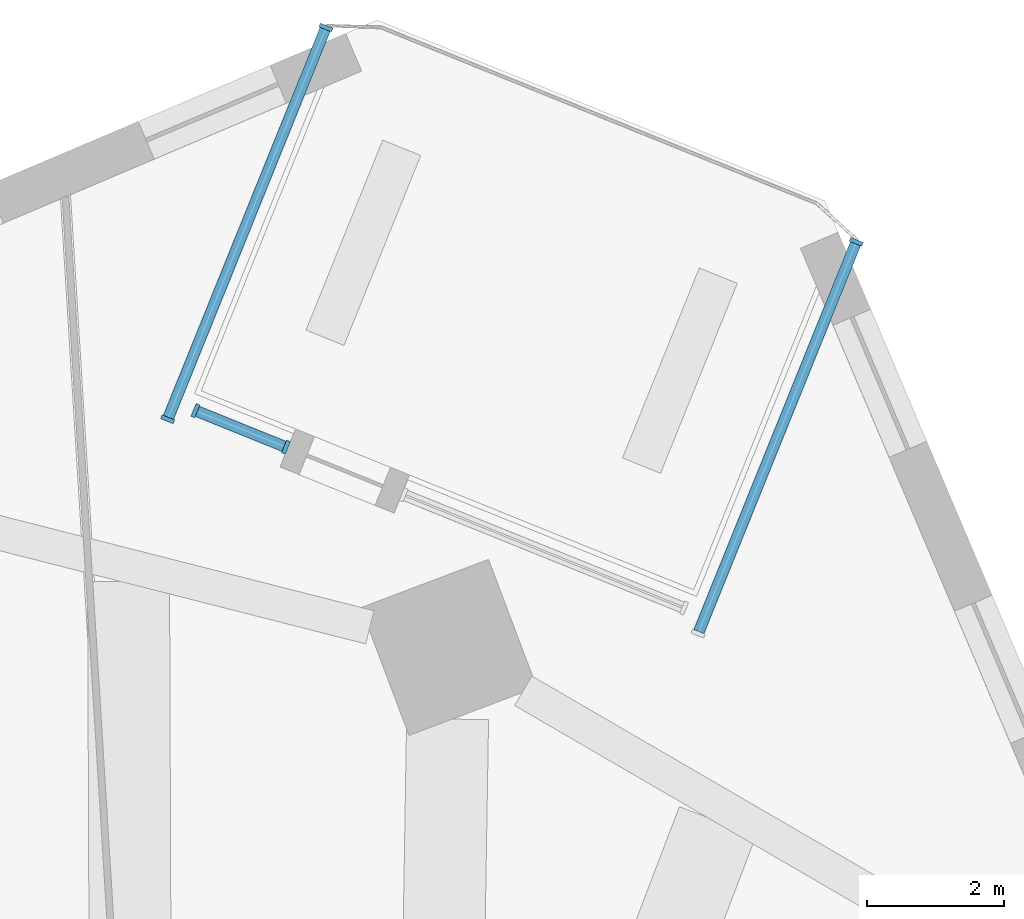
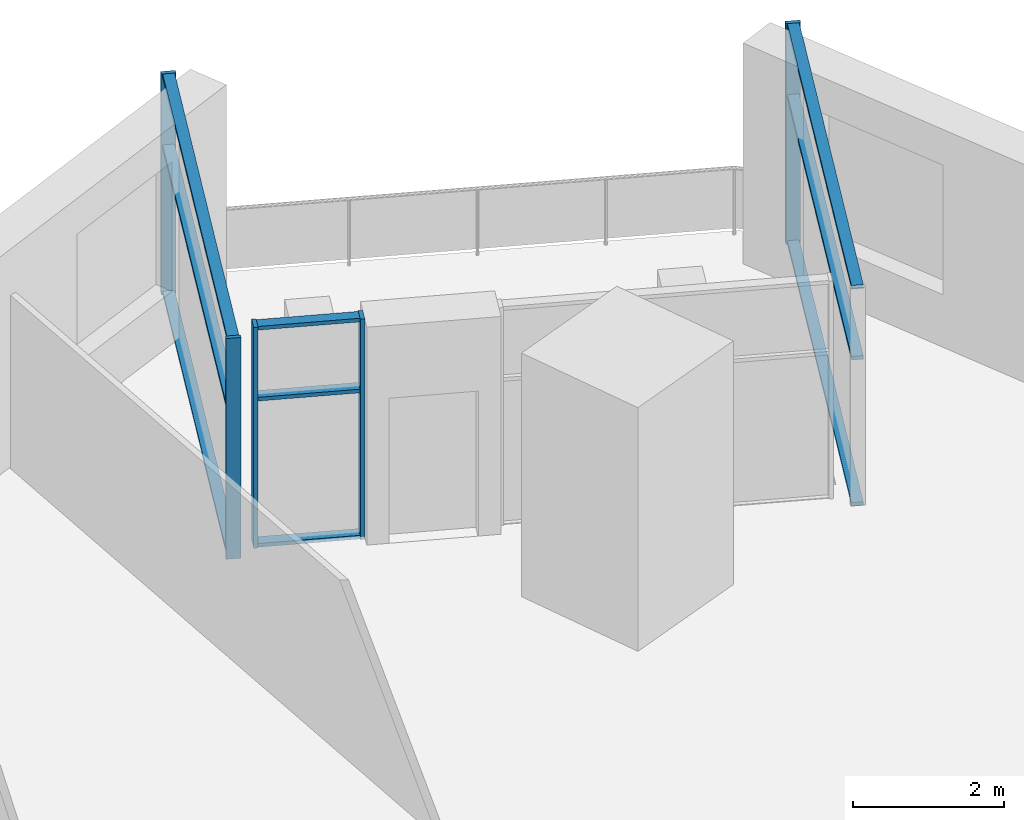
# One storey, part 4 of 12: 14 members, 3 elements without a shape of their own.
"""IFC4 building model written with IfcOpenShell, lengths in metres."""

from ifc_helpers import new_model, si_unit, direction, frame, origin, origin_2d, place, context, subcontext, project, spatial, rectangle, extrude, material, material_profile, profile_set, type_object, element, aggregate, save


model = new_model("IFC4")

# Units and contexts
model_context = context("Model", 3, precision=1e-05, world=origin(), true_north=direction((0.0, 1.0)))
body_context = subcontext(model_context, "Body", "Model", "MODEL_VIEW")
ifc_project = project(units=[si_unit("LENGTHUNIT", "METRE"), si_unit("AREAUNIT", "SQUARE_METRE"), si_unit("VOLUMEUNIT", "CUBIC_METRE"), si_unit("PLANEANGLEUNIT", "RADIAN"), si_unit("MASSUNIT", "GRAM", prefix="KILO")], contexts=[model_context])

# Site, building, storey
site_placement = place(None, origin())
site = spatial("IfcSite", under=ifc_project, at=site_placement, CompositionType="ELEMENT")
building_placement = place(site_placement, origin())
building = spatial("IfcBuilding", under=site, at=building_placement, Name="Dilmun Exchange Tower", CompositionType="ELEMENT")
storey_placement = place(building_placement, frame((0.0, 0.0, 118.10009765625)))
storey = spatial("IfcBuildingStorey", under=building, at=storey_placement, Name="L27", CompositionType="ELEMENT", Elevation=118.10009765625)

# Curtain wall, member
ifc_material_1 = material(Name="Anodised aluminium and clear glass", Category="aluminium")
curtain_wall_type = type_object("IfcCurtainWallType", Name="Garden corner glazing", PredefinedType="NOTDEFINED", material=ifc_material_1)
curtain_wall_1_placement = place(storey_placement, origin())
curtain_wall_1 = element("IfcCurtainWall", 1, at=curtain_wall_1_placement, inside=storey, type_object=curtain_wall_type, Name="Garden corner glazing run GC1.1", PredefinedType="NOTDEFINED")
ifc_material_2 = material(Name="Anodised aluminium", Category="aluminium")
ifc_material_profile_1 = material_profile(ifc_material_2, rectangle(XDim=0.199951171875, YDim=0.06005859375, at=origin_2d()), Name="AL 60x200")
ifc_profile_set_1 = profile_set([ifc_material_profile_1], Name="Anodised aluminium")
member_type_1 = type_object("IfcMemberType", Name="Garden corner glazing mullion 60 x 200", PredefinedType="MULLION", material=ifc_profile_set_1)
member_1_placement = place(storey_placement, frame((19.090576171875, 32.29296875, 0.0), z_axis=(0.0, 0.0, 1.0), x_axis=(0.927181535276, -0.374612333812, 0.0)))
member_1 = element("IfcMember", 2, at=member_1_placement, type_object=member_type_1, Name="GC1.1 mullion 1", PredefinedType="MULLION", context=body_context, shape_type="SweptSolid", body=[
    extrude(rectangle(XDim=0.199951171875, YDim=0.06005859375, at=origin_2d()), origin(), (0.0, 0.0, 1.0), 3.579833984375),
])

# Curtain wall, members
curtain_wall_2_placement = place(storey_placement, origin())
curtain_wall_2 = element("IfcCurtainWall", 3, at=curtain_wall_2_placement, inside=storey, type_object=curtain_wall_type, Name="Garden corner glazing run GC2.3", PredefinedType="NOTDEFINED")
member_2_placement = place(storey_placement, frame((10.7373046875, 29.287109375, 0.0), z_axis=(0.0, 0.0, 1.0), x_axis=(-0.374584072778, -0.927192953177, 0.0)))
member_2 = element("IfcMember", 4, at=member_2_placement, type_object=member_type_1, Name="GC2.3 mullion 1", PredefinedType="MULLION", context=body_context, shape_type="SweptSolid", body=[
    extrude(rectangle(XDim=0.199951171875, YDim=0.06005859375, at=origin_2d()), origin(), (0.0, 0.0, 1.0), 3.579833984375),
])
member_3_placement = place(storey_placement, frame((9.412109375, 29.822265625, 0.0), z_axis=(0.0, 0.0, 1.0), x_axis=(-0.374584072778, -0.927192953177, 0.0)))
member_3 = element("IfcMember", 5, at=member_3_placement, type_object=member_type_1, Name="GC2.3 mullion 2", PredefinedType="MULLION", context=body_context, shape_type="SweptSolid", body=[
    extrude(rectangle(XDim=0.199951171875, YDim=0.06005859375, at=origin_2d()), origin(), (0.0, 0.0, 1.0), 3.579833984375),
])

curtain_wall_3_placement = place(storey_placement, origin())
curtain_wall_3 = element("IfcCurtainWall", 6, at=curtain_wall_3_placement, inside=storey, type_object=curtain_wall_type, Name="Garden corner glazing run GC3.1", PredefinedType="NOTDEFINED")
member_4_placement = place(storey_placement, frame((9.005126953125, 29.695556640625, 0.0), z_axis=(0.0, 0.0, 1.0), x_axis=(-0.927187095693, 0.374598571247, 0.0)))
member_4 = element("IfcMember", 7, at=member_4_placement, type_object=member_type_1, Name="GC3.1 mullion 1", PredefinedType="MULLION", context=body_context, shape_type="SweptSolid", body=[
    extrude(rectangle(XDim=0.199951171875, YDim=0.06005859375, at=origin_2d()), origin(), (0.0, 0.0, 1.0), 3.579833984375),
])
member_5_placement = place(storey_placement, frame((11.322509765625, 35.431640625, 0.0), z_axis=(0.0, 0.0, 1.0), x_axis=(-0.927187095693, 0.374598571247, 0.0)))
member_5 = element("IfcMember", 8, at=member_5_placement, type_object=member_type_1, Name="GC3.1 mullion 2", PredefinedType="MULLION", context=body_context, shape_type="SweptSolid", body=[
    extrude(rectangle(XDim=0.199951171875, YDim=0.06005859375, at=origin_2d()), origin(), (0.0, 0.0, 1.0), 3.579833984375),
])

# Member
ifc_material_profile_2 = material_profile(ifc_material_2, rectangle(XDim=0.159912109375, YDim=0.06005859375, at=origin_2d()), Name="AL 60x160")
ifc_profile_set_2 = profile_set([ifc_material_profile_2], Name="Anodised aluminium")
member_type_2 = type_object("IfcMemberType", Name="Garden corner glazing transom 60 x 160", PredefinedType="USERDEFINED", material=ifc_profile_set_2)
member_6_placement = place(storey_placement, frame((19.079345703125, 32.265380859375, 0.02978515625), z_axis=(-0.374590211366, -0.927190473176, 0.0), x_axis=(0.927190473176, -0.374590211366, 0.0)))
member_6 = element("IfcMember", 9, at=member_6_placement, type_object=member_type_2, Name="GC1.1 transom 1.1", ObjectType="TRANSOM", PredefinedType="USERDEFINED", context=body_context, shape_type="SweptSolid", body=[
    extrude(rectangle(XDim=0.159912109375, YDim=0.06005859375, at=origin_2d()), origin(), (0.0, 0.0, 1.0), 6.12646484375),
])

member_7_placement = place(storey_placement, frame((19.079345703125, 32.265380859375, 2.39990234375), z_axis=(-0.374590211366, -0.927190473176, 0.0), x_axis=(0.927190473176, -0.374590211366, 0.0)))
member_7 = element("IfcMember", 10, at=member_7_placement, type_object=member_type_2, Name="GC1.1 transom 1.2", ObjectType="TRANSOM", PredefinedType="USERDEFINED", context=body_context, shape_type="SweptSolid", body=[
    extrude(rectangle(XDim=0.159912109375, YDim=0.06005859375, at=origin_2d()), origin(), (0.0, 0.0, 1.0), 6.12646484375),
])

member_8_placement = place(storey_placement, frame((19.079345703125, 32.265380859375, 3.5498046875), z_axis=(-0.374590211366, -0.927190473176, 0.0), x_axis=(0.927190473176, -0.374590211366, 0.0)))
member_8 = element("IfcMember", 11, at=member_8_placement, type_object=member_type_2, Name="GC1.1 transom 1.3", ObjectType="TRANSOM", PredefinedType="USERDEFINED", context=body_context, shape_type="SweptSolid", body=[
    extrude(rectangle(XDim=0.159912109375, YDim=0.06005859375, at=origin_2d()), origin(), (0.0, 0.0, 1.0), 6.12646484375),
])

aggregate(curtain_wall_1, [member_1, member_6, member_7, member_8])

member_9_placement = place(storey_placement, frame((10.70947265625, 29.29833984375, 0.02978515625), z_axis=(-0.927241837108, 0.374463049601, 0.0), x_axis=(-0.374463049601, -0.927241837108, 0.0)))
member_9 = element("IfcMember", 12, at=member_9_placement, type_object=member_type_2, Name="GC2.3 transom 1.1", ObjectType="TRANSOM", PredefinedType="USERDEFINED", context=body_context, shape_type="SweptSolid", body=[
    extrude(rectangle(XDim=0.159912109375, YDim=0.06005859375, at=origin_2d()), origin(), (0.0, 0.0, 1.0), 1.369140625),
])

member_10_placement = place(storey_placement, frame((10.70947265625, 29.29833984375, 2.39990234375), z_axis=(-0.927241837108, 0.374463049601, 0.0), x_axis=(-0.374463049601, -0.927241837108, 0.0)))
member_10 = element("IfcMember", 13, at=member_10_placement, type_object=member_type_2, Name="GC2.3 transom 1.2", ObjectType="TRANSOM", PredefinedType="USERDEFINED", context=body_context, shape_type="SweptSolid", body=[
    extrude(rectangle(XDim=0.159912109375, YDim=0.06005859375, at=origin_2d()), origin(), (0.0, 0.0, 1.0), 1.369140625),
])

member_11_placement = place(storey_placement, frame((10.70947265625, 29.29833984375, 3.5498046875), z_axis=(-0.927241837108, 0.374463049601, 0.0), x_axis=(-0.374463049601, -0.927241837108, 0.0)))
member_11 = element("IfcMember", 14, at=member_11_placement, type_object=member_type_2, Name="GC2.3 transom 1.3", ObjectType="TRANSOM", PredefinedType="USERDEFINED", context=body_context, shape_type="SweptSolid", body=[
    extrude(rectangle(XDim=0.159912109375, YDim=0.06005859375, at=origin_2d()), origin(), (0.0, 0.0, 1.0), 1.369140625),
])

aggregate(curtain_wall_2, [member_2, member_3, member_9, member_10, member_11])

member_12_placement = place(storey_placement, frame((9.016357421875, 29.723388671875, 0.02978515625), z_axis=(0.374590211366, 0.927190473176, 0.0), x_axis=(-0.927190473176, 0.374590211366, 0.0)))
member_12 = element("IfcMember", 15, at=member_12_placement, type_object=member_type_2, Name="GC3.1 transom 1.1", ObjectType="TRANSOM", PredefinedType="USERDEFINED", context=body_context, shape_type="SweptSolid", body=[
    extrude(rectangle(XDim=0.159912109375, YDim=0.06005859375, at=origin_2d()), origin(), (0.0, 0.0, 1.0), 6.12646484375),
])

member_13_placement = place(storey_placement, frame((9.016357421875, 29.723388671875, 2.39990234375), z_axis=(0.374590211366, 0.927190473176, 0.0), x_axis=(-0.927190473176, 0.374590211366, 0.0)))
member_13 = element("IfcMember", 16, at=member_13_placement, type_object=member_type_2, Name="GC3.1 transom 1.2", ObjectType="TRANSOM", PredefinedType="USERDEFINED", context=body_context, shape_type="SweptSolid", body=[
    extrude(rectangle(XDim=0.159912109375, YDim=0.06005859375, at=origin_2d()), origin(), (0.0, 0.0, 1.0), 6.12646484375),
])

member_14_placement = place(storey_placement, frame((9.016357421875, 29.723388671875, 3.5498046875), z_axis=(0.374590211366, 0.927190473176, 0.0), x_axis=(-0.927190473176, 0.374590211366, 0.0)))
member_14 = element("IfcMember", 17, at=member_14_placement, type_object=member_type_2, Name="GC3.1 transom 1.3", ObjectType="TRANSOM", PredefinedType="USERDEFINED", context=body_context, shape_type="SweptSolid", body=[
    extrude(rectangle(XDim=0.159912109375, YDim=0.06005859375, at=origin_2d()), origin(), (0.0, 0.0, 1.0), 6.12646484375),
])

aggregate(curtain_wall_3, [member_4, member_5, member_12, member_13, member_14])

save(model, "model.ifc")
